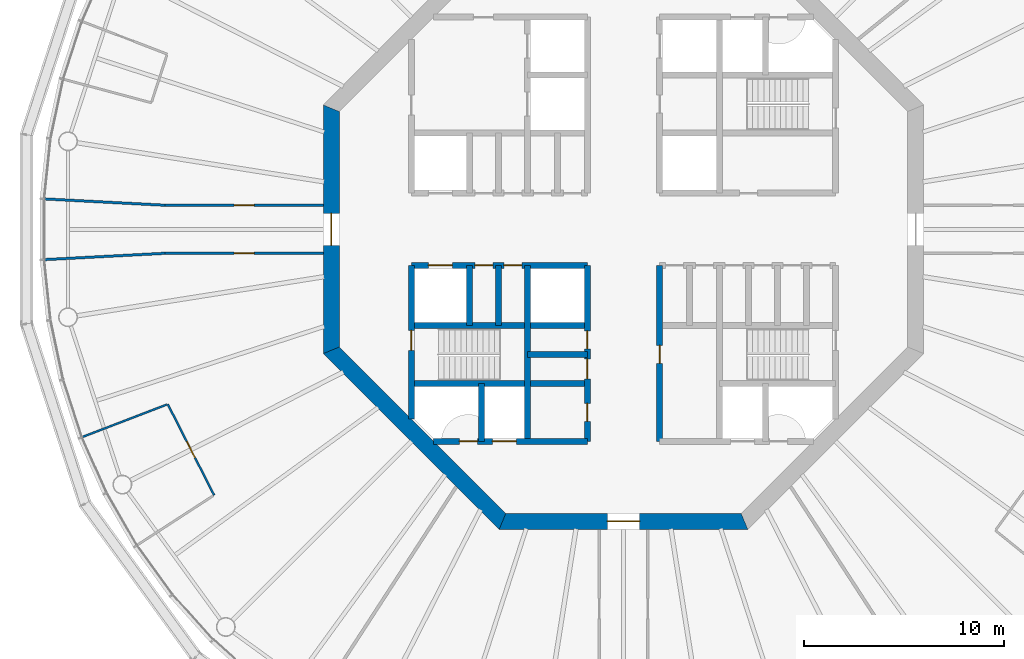
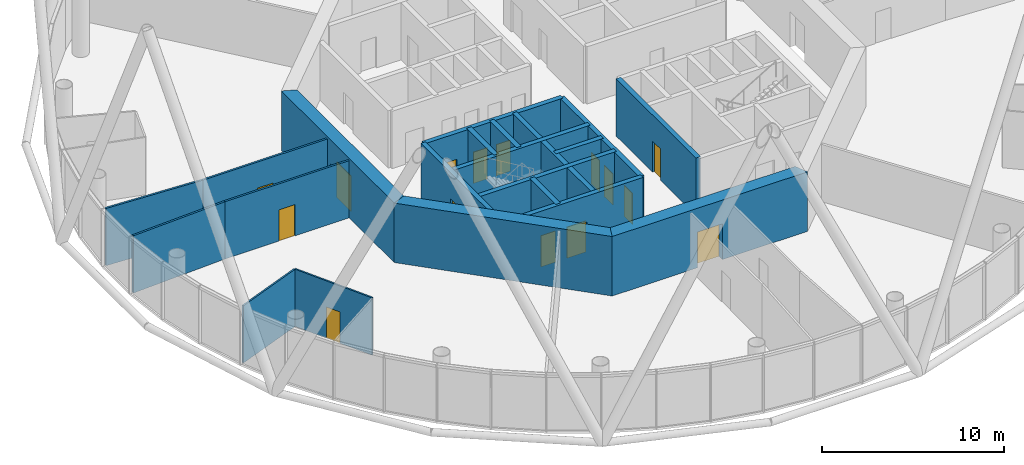
# One storey, part 3 of 13: 21 walls, 15 doors, 15 openings.
"""IFC4 building model written with IfcOpenShell, lengths in metres."""

from ifc_helpers import new_model, si_unit, direction, frame, frame_2d, origin, place, context, subcontext, project, spatial, polyline, rectangle, outline, extrude, material, layer, layer_set, type_object, element, fill, save


model = new_model("IFC4")

# Units and contexts
model_context = context("Model", 3, precision=1e-05, world=origin(), true_north=direction((0.0, 1.0)))
body_context = subcontext(model_context, "Body", "Model", "MODEL_VIEW")
ifc_project = project(units=[si_unit("LENGTHUNIT", "METRE"), si_unit("AREAUNIT", "SQUARE_METRE"), si_unit("VOLUMEUNIT", "CUBIC_METRE"), si_unit("PLANEANGLEUNIT", "RADIAN"), si_unit("MASSUNIT", "GRAM", prefix="KILO")], contexts=[model_context])

# Site, building, storey
site_placement = place(None, origin())
site = spatial("IfcSite", under=ifc_project, at=site_placement, CompositionType="ELEMENT")
building_placement = place(site_placement, origin())
building = spatial("IfcBuilding", under=site, at=building_placement, Name="Entoto Ring Tower", CompositionType="ELEMENT")
storey_placement = place(building_placement, frame((0.0, 0.0, 310.0)))
storey = spatial("IfcBuildingStorey", under=building, at=storey_placement, Name="L71", CompositionType="ELEMENT", Elevation=310.0)

# Wall, opening, door
ifc_material_1 = material(Name="Concrete C40/50", Category="concrete")
ifc_layer_1 = layer(ifc_material_1, 0.300048828125)
ifc_layer_set_1 = layer_set([ifc_layer_1], Name="Concrete C40/50")
wall_type_1 = type_object("IfcWallType", Name="Core enclosure wall 300 mm reinforced concrete", PredefinedType="SOLIDWALL", material=ifc_layer_set_1)
wall_1_placement = place(storey_placement, frame((91.800048828125, 69.39990234375, 0.0), z_axis=(0.0, 0.0, 1.0), x_axis=(0.0, 1.0, 0.0)))
wall_1 = element("IfcWall", 1, at=wall_1_placement, inside=storey, type_object=wall_type_1, Name="wall-L71-011", PredefinedType="SOLIDWALL", context=body_context, shape_type="SweptSolid", body=[
    extrude(rectangle(XDim=8.800048828125, YDim=0.300048828125, at=frame_2d((4.39990234375, 0.0))), origin(), (0.0, 0.0, 1.0), 3.85009765625),
])
opening_1_placement = place(wall_1_placement, frame((3.89990234375, 0.0, 0.0)))
opening_1 = element("IfcOpeningElement", 2, at=opening_1_placement, cuts=wall_1, Name="Opening K-21", PredefinedType="OPENING", context=body_context, shape_type="SweptSolid", body=[
    extrude(rectangle(XDim=0.89990234375, YDim=2.10009765625, at=frame_2d((0.449951171875, 1.050048828125))), frame((0.0, 0.16015625, 0.0), z_axis=(0.0, -1.0, 0.0), x_axis=(1.0, 0.0, 0.0)), (0.0, 0.0, 1.0), 0.320068359375),
])
ifc_material_2 = material(Name="Steel door leaf, fire rated", Category="steel")
ifc_layer_2 = layer(ifc_material_2, 0.050048828125)
ifc_layer_set_2 = layer_set([ifc_layer_2], Name="Steel door leaf, fire rated")
door_type_1 = type_object("IfcDoorType", Name="Core door 900 x 2100 single leaf", OperationType="NOTDEFINED", PredefinedType="DOOR", material=ifc_layer_set_2)
door_1_placement = place(opening_1_placement, frame((0.89990234375, 0.0, 0.0), z_axis=(0.0, 0.0, 1.0), x_axis=(-1.0, 0.0, 0.0)))
door_1 = element("IfcDoor", 3, at=door_1_placement, inside=storey, type_object=door_type_1, Name="Door K-21", OperationType="SINGLE_SWING_LEFT", OverallHeight=2.10009765625, OverallWidth=0.89990234375, PredefinedType="DOOR", context=body_context, shape_type="SweptSolid", body=[
    extrude(rectangle(XDim=0.89990234375, YDim=2.10009765625, at=frame_2d((0.449951171875, 1.050048828125))), frame((0.0, 0.02490234375, 0.0), z_axis=(0.0, -1.0, 0.0), x_axis=(1.0, 0.0, 0.0)), (0.0, 0.0, 1.0), 0.050048828125),
])
fill(opening_1, door_1)

# Wall, openings, doors
wall_2_placement = place(storey_placement, frame((88.199951171875, 69.39990234375, 0.0), z_axis=(0.0, 0.0, 1.0), x_axis=(0.0, 1.0, 0.0)))
wall_2 = element("IfcWall", 4, at=wall_2_placement, inside=storey, type_object=wall_type_1, Name="wall-L71-013", PredefinedType="SOLIDWALL", context=body_context, shape_type="SweptSolid", body=[
    extrude(rectangle(XDim=8.800048828125, YDim=0.300048828125, at=frame_2d((4.39990234375, 0.0))), origin(), (0.0, 0.0, 1.0), 3.85009765625),
])
opening_2_placement = place(wall_2_placement, frame((3.125, 0.0, 0.0)))
opening_2 = element("IfcOpeningElement", 5, at=opening_2_placement, cuts=wall_2, Name="Opening K-70", PredefinedType="OPENING", context=body_context, shape_type="SweptSolid", body=[
    extrude(rectangle(XDim=1.0, YDim=2.10009765625, at=frame_2d((0.5, 1.050048828125))), frame((0.0, 0.16015625, 0.0), z_axis=(0.0, -1.0, 0.0), x_axis=(1.0, 0.0, 0.0)), (0.0, 0.0, 1.0), 0.320068359375),
])
opening_3_placement = place(wall_2_placement, frame((4.625, 0.0, 0.0)))
opening_3 = element("IfcOpeningElement", 6, at=opening_3_placement, cuts=wall_2, Name="Opening K-71", PredefinedType="OPENING", context=body_context, shape_type="SweptSolid", body=[
    extrude(rectangle(XDim=0.89990234375, YDim=2.10009765625, at=frame_2d((0.449951171875, 1.050048828125))), frame((0.0, 0.16015625, 0.0), z_axis=(0.0, -1.0, 0.0), x_axis=(1.0, 0.0, 0.0)), (0.0, 0.0, 1.0), 0.320068359375),
])
opening_4_placement = place(wall_2_placement, frame((1.0, 0.0, 0.0)))
opening_4 = element("IfcOpeningElement", 7, at=opening_4_placement, cuts=wall_2, Name="Opening K-24", PredefinedType="OPENING", context=body_context, shape_type="SweptSolid", body=[
    extrude(rectangle(XDim=0.89990234375, YDim=2.10009765625, at=frame_2d((0.449951171875, 1.050048828125))), frame((0.0, 0.16015625, 0.0), z_axis=(0.0, -1.0, 0.0), x_axis=(1.0, 0.0, 0.0)), (0.0, 0.0, 1.0), 0.320068359375),
])
ifc_material_3 = material(Name="Steel door leaf, fire rated", Category="steel")
ifc_layer_3 = layer(ifc_material_3, 0.050048828125)
ifc_layer_set_3 = layer_set([ifc_layer_3], Name="Steel door leaf, fire rated")
door_type_2 = type_object("IfcDoorType", Name="Accessible door 1000 x 2100 single leaf", OperationType="NOTDEFINED", PredefinedType="DOOR", material=ifc_layer_set_3)
door_2_placement = place(opening_2_placement, origin())
door_2 = element("IfcDoor", 8, at=door_2_placement, inside=storey, type_object=door_type_2, Name="Door K-70", OperationType="SINGLE_SWING_RIGHT", OverallHeight=2.10009765625, OverallWidth=1.0, PredefinedType="DOOR", context=body_context, shape_type="SweptSolid", body=[
    extrude(rectangle(XDim=1.0, YDim=2.10009765625, at=frame_2d((0.5, 1.050048828125))), frame((0.0, 0.02490234375, 0.0), z_axis=(0.0, -1.0, 0.0), x_axis=(1.0, 0.0, 0.0)), (0.0, 0.0, 1.0), 0.050048828125),
])
fill(opening_2, door_2)
door_3_placement = place(opening_3_placement, origin())
door_3 = element("IfcDoor", 9, at=door_3_placement, inside=storey, type_object=door_type_1, Name="Door K-71", OperationType="SINGLE_SWING_RIGHT", OverallHeight=2.10009765625, OverallWidth=0.89990234375, PredefinedType="DOOR", context=body_context, shape_type="SweptSolid", body=[
    extrude(rectangle(XDim=0.89990234375, YDim=2.10009765625, at=frame_2d((0.449951171875, 1.050048828125))), frame((0.0, 0.02490234375, 0.0), z_axis=(0.0, -1.0, 0.0), x_axis=(1.0, 0.0, 0.0)), (0.0, 0.0, 1.0), 0.050048828125),
])
fill(opening_3, door_3)
door_4_placement = place(opening_4_placement, origin())
door_4 = element("IfcDoor", 10, at=door_4_placement, inside=storey, type_object=door_type_1, Name="Door K-24", OperationType="SINGLE_SWING_RIGHT", OverallHeight=2.10009765625, OverallWidth=0.89990234375, PredefinedType="DOOR", context=body_context, shape_type="SweptSolid", body=[
    extrude(rectangle(XDim=0.89990234375, YDim=2.10009765625, at=frame_2d((0.449951171875, 1.050048828125))), frame((0.0, 0.02490234375, 0.0), z_axis=(0.0, -1.0, 0.0), x_axis=(1.0, 0.0, 0.0)), (0.0, 0.0, 1.0), 0.050048828125),
])
fill(opening_4, door_4)

# Walls
wall_3_placement = place(storey_placement, frame((85.199951171875, 69.39990234375, 0.0), z_axis=(0.0, 0.0, 1.0), x_axis=(0.0, 1.0, 0.0)))
element("IfcWall", 11, at=wall_3_placement, inside=storey, type_object=wall_type_1, Name="wall-L71-016", PredefinedType="SOLIDWALL", context=body_context, shape_type="SweptSolid", body=[
    extrude(rectangle(XDim=8.800048828125, YDim=0.300048828125, at=frame_2d((4.39990234375, 0.0))), origin(), (0.0, 0.0, 1.0), 3.85009765625),
])
wall_4_placement = place(storey_placement, frame((83.75, 75.199951171875, 0.0), z_axis=(0.0, 0.0, 1.0), x_axis=(0.0, 1.0, 0.0)))
element("IfcWall", 12, at=wall_4_placement, inside=storey, type_object=wall_type_1, Name="wall-L71-018", PredefinedType="SOLIDWALL", context=body_context, shape_type="SweptSolid", body=[
    extrude(rectangle(XDim=3.0, YDim=0.300048828125, at=frame_2d((1.5, 0.0))), origin(), (0.0, 0.0, 1.0), 3.85009765625),
])
wall_5_placement = place(storey_placement, frame((82.89990234375, 69.39990234375, 0.0), z_axis=(0.0, 0.0, 1.0), x_axis=(0.0, 1.0, 0.0)))
element("IfcWall", 13, at=wall_5_placement, inside=storey, type_object=wall_type_1, Name="wall-L71-020", PredefinedType="SOLIDWALL", context=body_context, shape_type="SweptSolid", body=[
    extrude(rectangle(XDim=2.900146484375, YDim=0.300048828125, at=frame_2d((1.4501953125, 0.0))), origin(), (0.0, 0.0, 1.0), 3.85009765625),
])
wall_6_placement = place(storey_placement, frame((82.300048828125, 75.199951171875, 0.0), z_axis=(0.0, 0.0, 1.0), x_axis=(0.0, 1.0, 0.0)))
element("IfcWall", 14, at=wall_6_placement, inside=storey, type_object=wall_type_1, Name="wall-L71-021", PredefinedType="SOLIDWALL", context=body_context, shape_type="SweptSolid", body=[
    extrude(rectangle(XDim=3.0, YDim=0.300048828125, at=frame_2d((1.5, 0.0))), origin(), (0.0, 0.0, 1.0), 3.85009765625),
])

# Wall, opening, door
wall_7_placement = place(storey_placement, frame((79.39990234375, 70.518310546875, 0.0), z_axis=(0.0, 0.0, 1.0), x_axis=(0.0, 1.0, 0.0)))
wall_7 = element("IfcWall", 15, at=wall_7_placement, inside=storey, type_object=wall_type_1, Name="wall-L71-023", PredefinedType="SOLIDWALL", context=body_context, shape_type="SweptSolid", body=[
    extrude(rectangle(XDim=7.681640625, YDim=0.300048828125, at=frame_2d((3.8408203125, 0.0))), origin(), (0.0, 0.0, 1.0), 3.85009765625),
])
opening_5_placement = place(wall_7_placement, frame((3.431884765625, 0.0, 0.0)))
opening_5 = element("IfcOpeningElement", 16, at=opening_5_placement, cuts=wall_7, Name="Opening K-30", PredefinedType="OPENING", context=body_context, shape_type="SweptSolid", body=[
    extrude(rectangle(XDim=1.0, YDim=2.10009765625, at=frame_2d((0.5, 1.050048828125))), frame((0.0, 0.16015625, 0.0), z_axis=(0.0, -1.0, 0.0), x_axis=(1.0, 0.0, 0.0)), (0.0, 0.0, 1.0), 0.320068359375),
])
ifc_material_4 = material(Name="Steel door leaf, fire rated", Category="steel")
ifc_layer_4 = layer(ifc_material_4, 0.050048828125)
ifc_layer_set_4 = layer_set([ifc_layer_4], Name="Steel door leaf, fire rated")
door_type_3 = type_object("IfcDoorType", Name="Fire door FD60 1000 x 2100 single leaf", OperationType="NOTDEFINED", PredefinedType="DOOR", material=ifc_layer_set_4)
door_5_placement = place(opening_5_placement, frame((1.0, 0.0, 0.0), z_axis=(0.0, 0.0, 1.0), x_axis=(-1.0, 0.0, 0.0)))
door_5 = element("IfcDoor", 17, at=door_5_placement, inside=storey, type_object=door_type_3, Name="Door K-30", OperationType="SINGLE_SWING_LEFT", OverallHeight=2.10009765625, OverallWidth=1.0, PredefinedType="DOOR", context=body_context, shape_type="SweptSolid", body=[
    extrude(rectangle(XDim=1.0, YDim=2.10009765625, at=frame_2d((0.5, 1.050048828125))), frame((0.0, 0.02490234375, 0.0), z_axis=(0.0, -1.0, 0.0), x_axis=(1.0, 0.0, 0.0)), (0.0, 0.0, 1.0), 0.050048828125),
])
fill(opening_5, door_5)

# Wall, openings, doors
wall_8_placement = place(storey_placement, frame((80.518310546875, 69.39990234375, 0.0), z_axis=(0.0, 0.0, 1.0), x_axis=(1.0, 0.0, 0.0)))
wall_8 = element("IfcWall", 18, at=wall_8_placement, inside=storey, type_object=wall_type_1, Name="wall-L71-025", PredefinedType="SOLIDWALL", context=body_context, shape_type="SweptSolid", body=[
    extrude(rectangle(XDim=7.681640625, YDim=0.300048828125, at=frame_2d((3.8408203125, 0.0))), origin(), (0.0, 0.0, 1.0), 3.85009765625),
])
opening_6_placement = place(wall_8_placement, frame((2.931884765625, 0.0, 0.0)))
opening_6 = element("IfcOpeningElement", 19, at=opening_6_placement, cuts=wall_8, Name="Opening LD", PredefinedType="OPENING", context=body_context, shape_type="SweptSolid", body=[
    extrude(rectangle(XDim=1.199951171875, YDim=2.10009765625, at=frame_2d((0.60009765625, 1.050048828125))), frame((0.0, 0.16015625, 0.0), z_axis=(0.0, -1.0, 0.0), x_axis=(1.0, 0.0, 0.0)), (0.0, 0.0, 1.0), 0.320068359375),
])
opening_7_placement = place(wall_8_placement, frame((1.28173828125, 0.0, 0.0)))
opening_7 = element("IfcOpeningElement", 20, at=opening_7_placement, cuts=wall_8, Name="Opening K-33", PredefinedType="OPENING", context=body_context, shape_type="SweptSolid", body=[
    extrude(rectangle(XDim=0.89990234375, YDim=2.10009765625, at=frame_2d((0.449951171875, 1.050048828125))), frame((0.0, 0.16015625, 0.0), z_axis=(0.0, -1.0, 0.0), x_axis=(1.0, 0.0, 0.0)), (0.0, 0.0, 1.0), 0.320068359375),
])
ifc_material_5 = material(Name="Steel and glass door leaf", Category="steel")
ifc_layer_5 = layer(ifc_material_5, 0.050048828125)
ifc_layer_set_5 = layer_set([ifc_layer_5], Name="Steel and glass door leaf")
door_type_4 = type_object("IfcDoorType", Name="Landing door 1200 x 2100 sliding", OperationType="DOUBLE_DOOR_SLIDING", PredefinedType="DOOR", material=ifc_layer_set_5)
door_6_placement = place(opening_6_placement, origin())
door_6 = element("IfcDoor", 21, at=door_6_placement, inside=storey, type_object=door_type_4, Name="Landing door LB3-HR", OperationType="SLIDING_TO_RIGHT", OverallHeight=2.10009765625, OverallWidth=1.199951171875, PredefinedType="DOOR", context=body_context, shape_type="SweptSolid", body=[
    extrude(rectangle(XDim=1.199951171875, YDim=2.10009765625, at=frame_2d((0.60009765625, 1.050048828125))), frame((0.0, 0.02490234375, 0.0), z_axis=(0.0, -1.0, 0.0), x_axis=(1.0, 0.0, 0.0)), (0.0, 0.0, 1.0), 0.050048828125),
])
fill(opening_6, door_6)
ifc_material_6 = material(Name="Steel door leaf, fire rated", Category="steel")
ifc_layer_6 = layer(ifc_material_6, 0.050048828125)
ifc_layer_set_6 = layer_set([ifc_layer_6], Name="Steel door leaf, fire rated")
door_type_5 = type_object("IfcDoorType", Name="Riser door FD60 900 x 2100 single leaf", OperationType="NOTDEFINED", PredefinedType="DOOR", material=ifc_layer_set_6)
door_7_placement = place(opening_7_placement, origin())
door_7 = element("IfcDoor", 22, at=door_7_placement, inside=storey, type_object=door_type_5, Name="Door K-33", OperationType="SINGLE_SWING_RIGHT", OverallHeight=2.10009765625, OverallWidth=0.89990234375, PredefinedType="DOOR", context=body_context, shape_type="SweptSolid", body=[
    extrude(rectangle(XDim=0.89990234375, YDim=2.10009765625, at=frame_2d((0.449951171875, 1.050048828125))), frame((0.0, 0.02490234375, 0.0), z_axis=(0.0, -1.0, 0.0), x_axis=(1.0, 0.0, 0.0)), (0.0, 0.0, 1.0), 0.050048828125),
])
fill(opening_7, door_7)

# Walls
wall_9_placement = place(storey_placement, frame((79.39990234375, 72.300048828125, 0.0), z_axis=(0.0, 0.0, 1.0), x_axis=(1.0, 0.0, 0.0)))
element("IfcWall", 23, at=wall_9_placement, inside=storey, type_object=wall_type_1, Name="wall-L71-027", PredefinedType="SOLIDWALL", context=body_context, shape_type="SweptSolid", body=[
    extrude(rectangle(XDim=8.800048828125, YDim=0.300048828125, at=frame_2d((4.39990234375, 0.0))), origin(), (0.0, 0.0, 1.0), 3.85009765625),
])
wall_10_placement = place(storey_placement, frame((85.199951171875, 73.75, 0.0), z_axis=(0.0, 0.0, 1.0), x_axis=(1.0, 0.0, 0.0)))
element("IfcWall", 24, at=wall_10_placement, inside=storey, type_object=wall_type_1, Name="wall-L71-029", PredefinedType="SOLIDWALL", context=body_context, shape_type="SweptSolid", body=[
    extrude(rectangle(XDim=3.0, YDim=0.300048828125, at=frame_2d((1.5, 0.0))), origin(), (0.0, 0.0, 1.0), 3.85009765625),
])
wall_11_placement = place(storey_placement, frame((79.39990234375, 75.199951171875, 0.0), z_axis=(0.0, 0.0, 1.0), x_axis=(1.0, 0.0, 0.0)))
element("IfcWall", 25, at=wall_11_placement, inside=storey, type_object=wall_type_1, Name="wall-L71-030", PredefinedType="SOLIDWALL", context=body_context, shape_type="SweptSolid", body=[
    extrude(rectangle(XDim=8.800048828125, YDim=0.300048828125, at=frame_2d((4.39990234375, 0.0))), origin(), (0.0, 0.0, 1.0), 3.85009765625),
])

# Wall, openings, doors
wall_12_placement = place(storey_placement, frame((79.39990234375, 78.199951171875, 0.0), z_axis=(0.0, 0.0, 1.0), x_axis=(1.0, 0.0, 0.0)))
wall_12 = element("IfcWall", 26, at=wall_12_placement, inside=storey, type_object=wall_type_1, Name="wall-L71-032", PredefinedType="SOLIDWALL", context=body_context, shape_type="SweptSolid", body=[
    extrude(rectangle(XDim=8.800048828125, YDim=0.300048828125, at=frame_2d((4.39990234375, 0.0))), origin(), (0.0, 0.0, 1.0), 3.85009765625),
])
opening_8_placement = place(wall_12_placement, frame((0.85009765625, 0.0, 0.0)))
opening_8 = element("IfcOpeningElement", 27, at=opening_8_placement, cuts=wall_12, Name="Opening LD", PredefinedType="OPENING", context=body_context, shape_type="SweptSolid", body=[
    extrude(rectangle(XDim=1.199951171875, YDim=2.10009765625, at=frame_2d((0.60009765625, 1.050048828125))), frame((0.0, 0.16015625, 0.0), z_axis=(0.0, -1.0, 0.0), x_axis=(1.0, 0.0, 0.0)), (0.0, 0.0, 1.0), 0.320068359375),
])
opening_9_placement = place(wall_12_placement, frame((3.175048828125, 0.0, 0.0)))
opening_9 = element("IfcOpeningElement", 28, at=opening_9_placement, cuts=wall_12, Name="Opening K-18", PredefinedType="OPENING", context=body_context, shape_type="SweptSolid", body=[
    extrude(rectangle(XDim=0.89990234375, YDim=2.10009765625, at=frame_2d((0.449951171875, 1.050048828125))), frame((0.0, 0.16015625, 0.0), z_axis=(0.0, -1.0, 0.0), x_axis=(1.0, 0.0, 0.0)), (0.0, 0.0, 1.0), 0.320068359375),
])
opening_10_placement = place(wall_12_placement, frame((4.625, 0.0, 0.0)))
opening_10 = element("IfcOpeningElement", 29, at=opening_10_placement, cuts=wall_12, Name="Opening K-19", PredefinedType="OPENING", context=body_context, shape_type="SweptSolid", body=[
    extrude(rectangle(XDim=0.89990234375, YDim=2.10009765625, at=frame_2d((0.449951171875, 1.050048828125))), frame((0.0, 0.16015625, 0.0), z_axis=(0.0, -1.0, 0.0), x_axis=(1.0, 0.0, 0.0)), (0.0, 0.0, 1.0), 0.320068359375),
])
door_8_placement = place(opening_9_placement, frame((0.89990234375, 0.0, 0.0), z_axis=(0.0, 0.0, 1.0), x_axis=(-1.0, 0.0, 0.0)))
door_8 = element("IfcDoor", 30, at=door_8_placement, inside=storey, type_object=door_type_1, Name="Door K-18", OperationType="SINGLE_SWING_LEFT", OverallHeight=2.10009765625, OverallWidth=0.89990234375, PredefinedType="DOOR", context=body_context, shape_type="SweptSolid", body=[
    extrude(rectangle(XDim=0.89990234375, YDim=2.10009765625, at=frame_2d((0.449951171875, 1.050048828125))), frame((0.0, 0.02490234375, 0.0), z_axis=(0.0, -1.0, 0.0), x_axis=(1.0, 0.0, 0.0)), (0.0, 0.0, 1.0), 0.050048828125),
])
fill(opening_9, door_8)
door_9_placement = place(opening_10_placement, frame((0.89990234375, 0.0, 0.0), z_axis=(0.0, 0.0, 1.0), x_axis=(-1.0, 0.0, 0.0)))
door_9 = element("IfcDoor", 31, at=door_9_placement, inside=storey, type_object=door_type_1, Name="Door K-19", OperationType="SINGLE_SWING_LEFT", OverallHeight=2.10009765625, OverallWidth=0.89990234375, PredefinedType="DOOR", context=body_context, shape_type="SweptSolid", body=[
    extrude(rectangle(XDim=0.89990234375, YDim=2.10009765625, at=frame_2d((0.449951171875, 1.050048828125))), frame((0.0, 0.02490234375, 0.0), z_axis=(0.0, -1.0, 0.0), x_axis=(1.0, 0.0, 0.0)), (0.0, 0.0, 1.0), 0.050048828125),
])
fill(opening_10, door_9)
door_10_placement = place(opening_8_placement, origin())
door_10 = element("IfcDoor", 32, at=door_10_placement, inside=storey, type_object=door_type_4, Name="Landing door SH2", OperationType="SLIDING_TO_RIGHT", OverallHeight=2.10009765625, OverallWidth=1.199951171875, PredefinedType="DOOR", context=body_context, shape_type="SweptSolid", body=[
    extrude(rectangle(XDim=1.199951171875, YDim=2.10009765625, at=frame_2d((0.60009765625, 1.050048828125))), frame((0.0, 0.02490234375, 0.0), z_axis=(0.0, -1.0, 0.0), x_axis=(1.0, 0.0, 0.0)), (0.0, 0.0, 1.0), 0.050048828125),
])
fill(opening_8, door_10)

# Wall, opening, door
ifc_material_7 = material(Name="Concrete C40/50", Category="concrete")
ifc_layer_7 = layer(ifc_material_7, 0.800048828125)
ifc_layer_set_7 = layer_set([ifc_layer_7], Name="Concrete C40/50")
wall_type_2 = type_object("IfcWallType", Name="Core shear wall 800 mm reinforced concrete C40/50", PredefinedType="SHEAR", material=ifc_layer_set_7)
wall_13_placement = place(storey_placement, frame((75.39990234375, 86.047607421875, 0.0), z_axis=(0.0, 0.0, 1.0), x_axis=(0.0, -1.0, 0.0)))
wall_13 = element("IfcWall", 33, at=wall_13_placement, inside=storey, type_object=wall_type_2, Name="wall-L71-core-4", PredefinedType="SHEAR", context=body_context, shape_type="SweptSolid", body=[
    extrude(outline(polyline([(-0.165771484375, -0.39990234375), (12.260986328125, -0.39990234375), (11.929443359375, 0.39990234375), (0.165771484375, 0.39990234375), (-0.165771484375, -0.39990234375)])), origin(), (0.0, 0.0, 1.0), 4.0),
])
opening_11_placement = place(wall_13_placement, frame((5.24755859375, 0.0, 0.0)))
opening_11 = element("IfcOpeningElement", 34, at=opening_11_placement, cuts=wall_13, Name="Opening K-03", PredefinedType="OPENING", context=body_context, shape_type="SweptSolid", body=[
    extrude(rectangle(XDim=1.60009765625, YDim=2.39990234375, at=frame_2d((0.800048828125, 1.199951171875))), frame((0.0, 0.41015625, 0.0), z_axis=(0.0, -1.0, 0.0), x_axis=(1.0, 0.0, 0.0)), (0.0, 0.0, 1.0), 0.820068359375),
])
ifc_material_8 = material(Name="Steel door leaf, fire rated", Category="steel")
ifc_layer_8 = layer(ifc_material_8, 0.050048828125)
ifc_layer_set_8 = layer_set([ifc_layer_8], Name="Steel door leaf, fire rated")
door_type_6 = type_object("IfcDoorType", Name="Entrance door FD60 1600 x 2400 double leaf", OperationType="DOUBLE_DOOR_SINGLE_SWING", PredefinedType="DOOR", material=ifc_layer_set_8)
door_11_placement = place(opening_11_placement, origin())
door_11 = element("IfcDoor", 35, at=door_11_placement, inside=storey, type_object=door_type_6, Name="Entrance door K-03", OperationType="DOUBLE_DOOR_SINGLE_SWING", OverallHeight=2.39990234375, OverallWidth=1.60009765625, PredefinedType="DOOR", context=body_context, shape_type="SweptSolid", body=[
    extrude(rectangle(XDim=1.60009765625, YDim=2.39990234375, at=frame_2d((0.800048828125, 1.199951171875))), frame((0.0, 0.02490234375, 0.0), z_axis=(0.0, -1.0, 0.0), x_axis=(1.0, 0.0, 0.0)), (0.0, 0.0, 1.0), 0.050048828125),
])
fill(opening_11, door_11)

# Wall
wall_14_placement = place(storey_placement, frame((75.39990234375, 73.952392578125, 0.0), z_axis=(0.0, 0.0, 1.0), x_axis=(0.707106781187, -0.707106781187, 0.0)))
element("IfcWall", 36, at=wall_14_placement, inside=storey, type_object=wall_type_2, Name="wall-L71-core-5", PredefinedType="SHEAR", context=body_context, shape_type="SweptSolid", body=[
    extrude(outline(polyline([(-0.165771484375, -0.39990234375), (12.2607421875, -0.39990234375), (11.92919921875, 0.39990234375), (0.165771484375, 0.39990234375), (-0.165771484375, -0.39990234375)])), origin(), (0.0, 0.0, 1.0), 4.0),
])

# Wall, opening, door
wall_15_placement = place(storey_placement, frame((83.952392578125, 65.39990234375, 0.0), z_axis=(0.0, 0.0, 1.0), x_axis=(1.0, 0.0, 0.0)))
wall_15 = element("IfcWall", 37, at=wall_15_placement, inside=storey, type_object=wall_type_2, Name="wall-L71-core-6", PredefinedType="SHEAR", context=body_context, shape_type="SweptSolid", body=[
    extrude(outline(polyline([(-0.165771484375, -0.39990234375), (12.260986328125, -0.39990234375), (11.929443359375, 0.39990234375), (0.165771484375, 0.39990234375), (-0.165771484375, -0.39990234375)])), origin(), (0.0, 0.0, 1.0), 4.0),
])
opening_12_placement = place(wall_15_placement, frame((5.24755859375, 0.0, 0.0)))
opening_12 = element("IfcOpeningElement", 38, at=opening_12_placement, cuts=wall_15, Name="Opening K-04", PredefinedType="OPENING", context=body_context, shape_type="SweptSolid", body=[
    extrude(rectangle(XDim=1.60009765625, YDim=2.39990234375, at=frame_2d((0.800048828125, 1.199951171875))), frame((0.0, 0.41015625, 0.0), z_axis=(0.0, -1.0, 0.0), x_axis=(1.0, 0.0, 0.0)), (0.0, 0.0, 1.0), 0.820068359375),
])
door_12_placement = place(opening_12_placement, origin())
door_12 = element("IfcDoor", 39, at=door_12_placement, inside=storey, type_object=door_type_6, Name="Entrance door K-04", OperationType="DOUBLE_DOOR_SINGLE_SWING", OverallHeight=2.39990234375, OverallWidth=1.60009765625, PredefinedType="DOOR", context=body_context, shape_type="SweptSolid", body=[
    extrude(rectangle(XDim=1.60009765625, YDim=2.39990234375, at=frame_2d((0.800048828125, 1.199951171875))), frame((0.0, 0.02490234375, 0.0), z_axis=(0.0, -1.0, 0.0), x_axis=(1.0, 0.0, 0.0)), (0.0, 0.0, 1.0), 0.050048828125),
])
fill(opening_12, door_12)

ifc_material_9 = material(Name="Fire-resisting plasterboard on steel studs", Category="steel")
ifc_layer_9 = layer(ifc_material_9, 0.125)
ifc_layer_set_9 = layer_set([ifc_layer_9], Name="Fire-resisting plasterboard on steel studs")
wall_type_3 = type_object("IfcWallType", Name="Corridor wall 125 mm one-hour plasterboard on steel studs", PredefinedType="PARTITIONING", material=ifc_layer_set_9)
wall_16_placement = place(storey_placement, frame((67.1025390625, 78.800048828125, 0.0), z_axis=(0.0, 0.0, 1.0), x_axis=(1.0, 0.0, 0.0)))
wall_16 = element("IfcWall", 40, at=wall_16_placement, inside=storey, type_object=wall_type_3, Name="partition-L71-001", PredefinedType="PARTITIONING", context=body_context, shape_type="SweptSolid", body=[
    extrude(rectangle(XDim=7.8974609375, YDim=0.125, at=frame_2d((3.94873046875, 0.0))), origin(), (0.0, 0.0, 1.0), 3.85009765625),
])
opening_13_placement = place(wall_16_placement, frame((3.44873046875, 0.0, 0.0)))
opening_13 = element("IfcOpeningElement", 41, at=opening_13_placement, cuts=wall_16, Name="Opening A31-D09", PredefinedType="OPENING", context=body_context, shape_type="SweptSolid", body=[
    extrude(rectangle(XDim=1.0, YDim=2.10009765625, at=frame_2d((0.5, 1.050048828125))), frame((0.0, 0.072509765625, 0.0), z_axis=(0.0, -1.0, 0.0), x_axis=(1.0, 0.0, 0.0)), (0.0, 0.0, 1.0), 0.14501953125),
])
ifc_material_10 = material(Name="Fire-resisting timber door set", Category="wood")
door_type_7 = type_object("IfcDoorType", Name="Door 1000 x 2100 single leaf FD30S fire door", OperationType="NOTDEFINED", PredefinedType="DOOR", material=ifc_material_10)
door_13_placement = place(opening_13_placement, frame((1.0, 0.0, 0.0), z_axis=(0.0, 0.0, 1.0), x_axis=(-1.0, 0.0, 0.0)))
door_13 = element("IfcDoor", 42, at=door_13_placement, inside=storey, type_object=door_type_7, Name="Door A31-D09", OperationType="SINGLE_SWING_LEFT", OverallHeight=2.10009765625, OverallWidth=1.0, PredefinedType="DOOR", context=body_context, shape_type="SweptSolid", body=[
    extrude(rectangle(XDim=1.0, YDim=2.10009765625, at=frame_2d((0.5, 1.050048828125))), frame((0.0, 0.02490234375, 0.0), z_axis=(0.0, -1.0, 0.0), x_axis=(1.0, 0.0, 0.0)), (0.0, 0.0, 1.0), 0.050048828125),
])
fill(opening_13, door_13)

wall_17_placement = place(storey_placement, frame((67.1025390625, 81.199951171875, 0.0), z_axis=(0.0, 0.0, 1.0), x_axis=(1.0, 0.0, 0.0)))
wall_17 = element("IfcWall", 43, at=wall_17_placement, inside=storey, type_object=wall_type_3, Name="partition-L71-002", PredefinedType="PARTITIONING", context=body_context, shape_type="SweptSolid", body=[
    extrude(rectangle(XDim=7.8974609375, YDim=0.125, at=frame_2d((3.94873046875, 0.0))), origin(), (0.0, 0.0, 1.0), 3.85009765625),
])
opening_14_placement = place(wall_17_placement, frame((3.44873046875, 0.0, 0.0)))
opening_14 = element("IfcOpeningElement", 44, at=opening_14_placement, cuts=wall_17, Name="Opening A31-D07", PredefinedType="OPENING", context=body_context, shape_type="SweptSolid", body=[
    extrude(rectangle(XDim=1.0, YDim=2.10009765625, at=frame_2d((0.5, 1.050048828125))), frame((0.0, 0.072509765625, 0.0), z_axis=(0.0, -1.0, 0.0), x_axis=(1.0, 0.0, 0.0)), (0.0, 0.0, 1.0), 0.14501953125),
])
door_14_placement = place(opening_14_placement, origin())
door_14 = element("IfcDoor", 45, at=door_14_placement, inside=storey, type_object=door_type_7, Name="Door A31-D07", OperationType="SINGLE_SWING_RIGHT", OverallHeight=2.10009765625, OverallWidth=1.0, PredefinedType="DOOR", context=body_context, shape_type="SweptSolid", body=[
    extrude(rectangle(XDim=1.0, YDim=2.10009765625, at=frame_2d((0.5, 1.050048828125))), frame((0.0, 0.02490234375, 0.0), z_axis=(0.0, -1.0, 0.0), x_axis=(1.0, 0.0, 0.0)), (0.0, 0.0, 1.0), 0.050048828125),
])
fill(opening_14, door_14)

# Walls
for number, where, z_axis, x_axis, name in (
    (46, (61.099609375, 78.4853515625, 0.0), (0.0, 0.0, 1.0), (0.998629367342, 0.052339150565, 0.0), "partition-L71-009"),
    (47, (67.099365234375, 81.2001953125, 0.0), (0.0, 0.0, 1.0), (-0.998629367342, 0.052339150565, 0.0), "partition-L71-010"),
):
    element("IfcWall", number, at=place(storey_placement, frame(where, z_axis=z_axis, x_axis=x_axis)), inside=storey, type_object=wall_type_3, Name=name, PredefinedType="PARTITIONING", context=body_context, shape_type="SweptSolid", body=[
        extrude(rectangle(XDim=6.008056640625, YDim=0.125, at=frame_2d((3.00390625, 0.0))), origin(), (0.0, 0.0, 1.0), 3.85009765625),
    ])

# Wall, opening, door
ifc_material_11 = material(Name="Plasterboard on steel studs", Category="steel")
ifc_layer_10 = layer(ifc_material_11, 0.10009765625)
ifc_layer_set_10 = layer_set([ifc_layer_10], Name="Plasterboard on steel studs")
wall_type_4 = type_object("IfcWallType", Name="Partition 100 mm plasterboard on steel studs", PredefinedType="PARTITIONING", material=ifc_layer_set_10)
wall_18_placement = place(storey_placement, frame((69.544921875, 66.71630859375, 0.0), z_axis=(0.0, 0.0, 1.0), x_axis=(-0.453999657129, 0.891001858206, 0.0)))
wall_18 = element("IfcWall", 48, at=wall_18_placement, inside=storey, type_object=wall_type_4, Name="partition-L71-024", PredefinedType="PARTITIONING", context=body_context, shape_type="SweptSolid", body=[
    extrude(rectangle(XDim=5.098876953125, YDim=0.10009765625, at=frame_2d((2.54931640625, 0.0))), origin(), (0.0, 0.0, 1.0), 3.85009765625),
])
opening_15_placement = place(wall_18_placement, frame((2.099365234375, 0.0, 0.0)))
opening_15 = element("IfcOpeningElement", 49, at=opening_15_placement, cuts=wall_18, Name="Opening A31-D10", PredefinedType="OPENING", context=body_context, shape_type="SweptSolid", body=[
    extrude(rectangle(XDim=0.89990234375, YDim=2.10009765625, at=frame_2d((0.449951171875, 1.050048828125))), frame((0.0, 0.06005859375, 0.0), z_axis=(0.0, -1.0, 0.0), x_axis=(1.0, 0.0, 0.0)), (0.0, 0.0, 1.0), 0.1201171875),
])
ifc_material_12 = material(Name="Veneered timber door leaf in timber frame", Category="wood")
door_type_8 = type_object("IfcDoorType", Name="Door 900 x 2100 single leaf timber veneer", OperationType="NOTDEFINED", PredefinedType="DOOR", material=ifc_material_12)
door_15_placement = place(opening_15_placement, origin())
door_15 = element("IfcDoor", 50, at=door_15_placement, inside=storey, type_object=door_type_8, Name="Door A31-D10", OperationType="SINGLE_SWING_LEFT", OverallHeight=2.10009765625, OverallWidth=0.89990234375, PredefinedType="DOOR", context=body_context, shape_type="SweptSolid", body=[
    extrude(rectangle(XDim=0.89990234375, YDim=2.10009765625, at=frame_2d((0.449951171875, 1.050048828125))), frame((0.0, 0.02490234375, 0.0), z_axis=(0.0, -1.0, 0.0), x_axis=(1.0, 0.0, 0.0)), (0.0, 0.0, 1.0), 0.050048828125),
])
fill(opening_15, door_15)

# Wall
wall_19_placement = place(storey_placement, frame((62.982177734375, 69.62890625, 0.0), z_axis=(0.0, 0.0, 1.0), x_axis=(0.933578905137, 0.358371912798, 0.0)))
element("IfcWall", 51, at=wall_19_placement, inside=storey, type_object=wall_type_4, Name="partition-L71-032", PredefinedType="PARTITIONING", context=body_context, shape_type="SweptSolid", body=[
    extrude(rectangle(XDim=4.500244140625, YDim=0.10009765625, at=frame_2d((2.25, 0.0))), origin(), (0.0, 0.0, 1.0), 3.85009765625),
])

save(model, "model.ifc")
